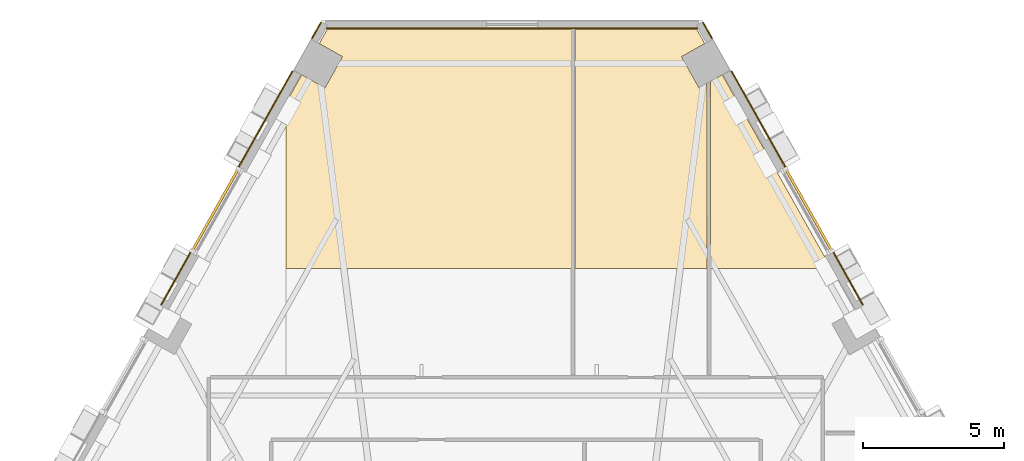
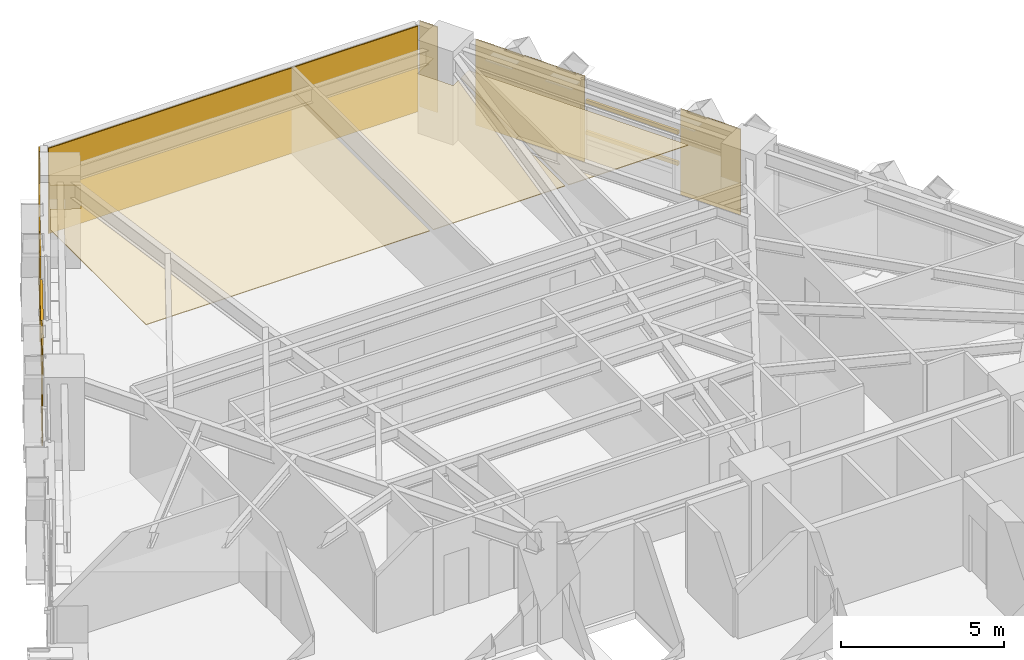
# One storey, part 13 of 13: 10 coverings, 4 shading devices.
"""IFC4 building model written with IfcOpenShell, lengths in metres."""

from ifc_helpers import new_model, si_unit, direction, frame, origin, origin_2d, place, context, subcontext, project, spatial, polyline, rectangle, outline, extrude, material, layer, layer_set, material_profile, profile_set, type_object, element, save


model = new_model("IFC4")

# Units and contexts
model_context = context("Model", 3, precision=1e-05, world=origin(), true_north=direction((0.0, 1.0)))
body_context = subcontext(model_context, "Body", "Model", "MODEL_VIEW")
ifc_project = project(units=[si_unit("LENGTHUNIT", "METRE"), si_unit("AREAUNIT", "SQUARE_METRE"), si_unit("VOLUMEUNIT", "CUBIC_METRE"), si_unit("PLANEANGLEUNIT", "RADIAN"), si_unit("MASSUNIT", "GRAM", prefix="KILO")], contexts=[model_context])

# Site, building, storey
site_placement = place(None, origin())
site = spatial("IfcSite", under=ifc_project, at=site_placement, CompositionType="ELEMENT")
building_placement = place(site_placement, origin())
building = spatial("IfcBuilding", under=site, at=building_placement, Name="Quenlor Broadcast Tower", CompositionType="ELEMENT")
storey_placement = place(building_placement, frame((0.0, 0.0, 52.10009765625)))
storey = spatial("IfcBuildingStorey", under=building, at=storey_placement, Name="L13", CompositionType="ELEMENT", Elevation=52.10009765625)

# Coverings
ifc_material_1 = material(Name="Acoustic Mineral Fibre Board", Category="other")
ifc_layer_1 = layer(ifc_material_1, 0.02490234375)
ifc_layer_set_1 = layer_set([ifc_layer_1], Name="Acoustic Perforated Mineral Tile Ceiling 25")
covering_type_1 = type_object("IfcCoveringType", Name="Acoustic Perforated Mineral Tile Ceiling 25", PredefinedType="CEILING", material=ifc_layer_set_1)
covering_1_placement = place(storey_placement, frame((0.0, 0.0, 2.224853515625)))
element("IfcCovering", 1, at=covering_1_placement, inside=storey, type_object=covering_type_1, Name="L13 Acoustic Ceiling L13-33-2", PredefinedType="CEILING", context=body_context, shape_type="SweptSolid", body=[
    extrude(outline(polyline([(6.609619140625, 19.03271484375), (6.89990234375, 19.196044921875), (6.89990234375, 12.64990234375), (2.219970703125, 12.64990234375), (2.219970703125, 21.092041015625), (6.533203125, 21.092041015625), (6.810791015625, 20.598388671875), (5.989013671875, 20.135986328125), (6.609619140625, 19.03271484375)])), origin(), (0.0, 0.0, 1.0), 0.025146484375),
])
covering_2_placement = place(storey_placement, frame((0.0, 0.0, 2.224853515625)))
element("IfcCovering", 2, at=covering_2_placement, inside=storey, type_object=covering_type_1, Name="L13 Acoustic Ceiling L13-34-2", PredefinedType="CEILING", context=body_context, shape_type="SweptSolid", body=[
    extrude(outline(polyline([(-7.97998046875, 18.519775390625), (-7.431396484375, 19.4951171875), (-6.609619140625, 19.03271484375), (-5.989013671875, 20.135986328125), (-6.810791015625, 20.598388671875), (-6.533203125, 21.092041015625), (2.10009765625, 21.092041015625), (2.10009765625, 12.64990234375), (-7.97998046875, 12.64990234375), (-7.97998046875, 18.519775390625)])), origin(), (0.0, 0.0, 1.0), 0.025146484375),
])
covering_3_placement = place(storey_placement, frame((0.0, 0.0, 2.224853515625)))
element("IfcCovering", 3, at=covering_3_placement, inside=storey, type_object=covering_type_1, Name="L13 Acoustic Ceiling L13-35-2", PredefinedType="CEILING", context=body_context, shape_type="SweptSolid", body=[
    extrude(outline(polyline([(7.02001953125, 19.263427734375), (7.431396484375, 19.4951171875), (11.28173828125, 12.64990234375), (7.02001953125, 12.64990234375), (7.02001953125, 19.263427734375)])), origin(), (0.0, 0.0, 1.0), 0.025146484375),
])

# Shading devices
ifc_material_2 = material(Name="Architectural Terracotta Ceramic", Category="masonry")
ifc_material_profile = material_profile(ifc_material_2, rectangle(XDim=0.090087890625, YDim=0.139892578125, at=origin_2d()))
ifc_profile_set = profile_set([ifc_material_profile], Name="Architectural Terracotta Ceramic BAG90x140")
shading_device_type = type_object("IfcShadingDeviceType", Name="Copper Terracotta Baguette Solar Screen 140", PredefinedType="USERDEFINED", material=ifc_profile_set)
for number, where, z_axis, x_axis, name in (
    (4, (9.680908203125, 16.15478515625, 1.169921875), (0.490233146241, -0.871591339061, 0.0), (0.871591339061, 0.490233146241, 0.0), "L13 Terracotta Baguette Screen 1"),
    (5, (9.680908203125, 16.15478515625, 2.33984375), (0.490233146241, -0.871591339061, 0.0), (0.871591339061, 0.490233146241, 0.0), "L13 Terracotta Baguette Screen 2"),
    (6, (-11.299072265625, 13.27783203125, 1.169921875), (0.490233146241, 0.871591339061, 0.0), (-0.871591339061, 0.490233146241, 0.0), "L13 Terracotta Baguette Screen 1"),
    (7, (-11.299072265625, 13.27783203125, 2.33984375), (0.490233146241, 0.871591339061, 0.0), (-0.871591339061, 0.490233146241, 0.0), "L13 Terracotta Baguette Screen 2"),
):
    element("IfcShadingDevice", number, at=place(storey_placement, frame(where, z_axis=z_axis, x_axis=x_axis)), inside=storey, type_object=shading_device_type, Name=name, ObjectType="BAGUETTE", PredefinedType="USERDEFINED", context=body_context, shape_type="SweptSolid", body=[
        extrude(rectangle(XDim=0.090087890625, YDim=0.139892578125, at=origin_2d()), origin(), (0.0, 0.0, 1.0), 3.30078125),
    ])

# Coverings
ifc_material_3 = material(Name="Architectural Terracotta Ceramic", Category="masonry")
ifc_layer_2 = layer(ifc_material_3, 0.044921875)
ifc_layer_set_2 = layer_set([ifc_layer_2], Name="Fluted Terracotta Rainscreen Cladding Panel")
covering_type_2 = type_object("IfcCoveringType", Name="Fluted Terracotta Rainscreen Cladding Panel", PredefinedType="CLADDING", material=ifc_layer_set_2)
covering_4_placement = place(storey_placement, frame((0.0, 0.0, 0.02001953125)))
element("IfcCovering", 8, at=covering_4_placement, inside=storey, type_object=covering_type_2, Name="L13 Terracotta Rainscreen Cladding L13-SHD-NES0", PredefinedType="CLADDING", context=body_context, shape_type="SweptSolid", body=[
    extrude(outline(polyline([(6.734130859375, 21.330078125), (7.052001953125, 20.76513671875), (7.09130859375, 20.787109375), (6.7734375, 21.35205078125), (6.734130859375, 21.330078125)])), origin(), (0.0, 0.0, 1.0), 3.2099609375),
])
covering_5_placement = place(storey_placement, frame((0.0, 0.0, 0.02001953125)))
element("IfcCovering", 9, at=covering_5_placement, inside=storey, type_object=covering_type_2, Name="L13 Terracotta Rainscreen Cladding L13-NEA-SP1", PredefinedType="CLADDING", context=body_context, shape_type="SweptSolid", body=[
    extrude(outline(polyline([(7.735107421875, 19.612060546875), (9.645751953125, 16.215576171875), (9.684814453125, 16.237548828125), (7.7744140625, 19.634033203125), (7.735107421875, 19.612060546875)])), origin(), (0.0, 0.0, 1.0), 3.2099609375),
])
covering_6_placement = place(storey_placement, frame((0.0, 0.0, 0.02001953125)))
element("IfcCovering", 10, at=covering_6_placement, inside=storey, type_object=covering_type_2, Name="L13 Terracotta Rainscreen Cladding L13-NEA-SP2", PredefinedType="CLADDING", context=body_context, shape_type="SweptSolid", body=[
    extrude(outline(polyline([(11.33251953125, 13.21630859375), (12.380615234375, 11.353515625), (12.419677734375, 11.37548828125), (11.371826171875, 13.23828125), (11.33251953125, 13.21630859375)])), origin(), (0.0, 0.0, 1.0), 3.2099609375),
])
covering_7_placement = place(storey_placement, frame((0.0, 0.0, 0.02001953125)))
element("IfcCovering", 11, at=covering_7_placement, inside=storey, type_object=covering_type_2, Name="L13 Terracotta Rainscreen Cladding L13-SHD-NWS1", PredefinedType="CLADDING", context=body_context, shape_type="SweptSolid", body=[
    extrude(outline(polyline([(-7.052001953125, 20.76513671875), (-6.734130859375, 21.330078125), (-6.7734375, 21.35205078125), (-7.09130859375, 20.787109375), (-7.052001953125, 20.76513671875)])), origin(), (0.0, 0.0, 1.0), 3.2099609375),
])
covering_8_placement = place(storey_placement, frame((0.0, 0.0, 0.02001953125)))
element("IfcCovering", 12, at=covering_8_placement, inside=storey, type_object=covering_type_2, Name="L13 Terracotta Rainscreen Cladding L13-NWC-SP1", PredefinedType="CLADDING", context=body_context, shape_type="SweptSolid", body=[
    extrude(outline(polyline([(-12.380615234375, 11.353515625), (-11.33251953125, 13.21630859375), (-11.371826171875, 13.23828125), (-12.419677734375, 11.37548828125), (-12.380615234375, 11.353515625)])), origin(), (0.0, 0.0, 1.0), 3.2099609375),
])
covering_9_placement = place(storey_placement, frame((0.0, 0.0, 0.02001953125)))
element("IfcCovering", 13, at=covering_9_placement, inside=storey, type_object=covering_type_2, Name="L13 Terracotta Rainscreen Cladding L13-NWC-SP2", PredefinedType="CLADDING", context=body_context, shape_type="SweptSolid", body=[
    extrude(outline(polyline([(-9.645751953125, 16.215576171875), (-7.735107421875, 19.612060546875), (-7.7744140625, 19.634033203125), (-9.684814453125, 16.237548828125), (-9.645751953125, 16.215576171875)])), origin(), (0.0, 0.0, 1.0), 3.2099609375),
])
covering_10_placement = place(storey_placement, frame((0.0, 0.0, 0.02001953125)))
element("IfcCovering", 14, at=covering_10_placement, inside=storey, type_object=covering_type_2, Name="L13 Terracotta Rainscreen Cladding L13-CNR-02", PredefinedType="CLADDING", context=body_context, shape_type="SweptSolid", body=[
    extrude(outline(polyline([(6.568359375, 21.159912109375), (-6.558349609375, 21.159912109375), (-6.558349609375, 21.114990234375), (6.568359375, 21.114990234375), (6.568359375, 21.159912109375)])), origin(), (0.0, 0.0, 1.0), 3.2099609375),
])

save(model, "model.ifc")
